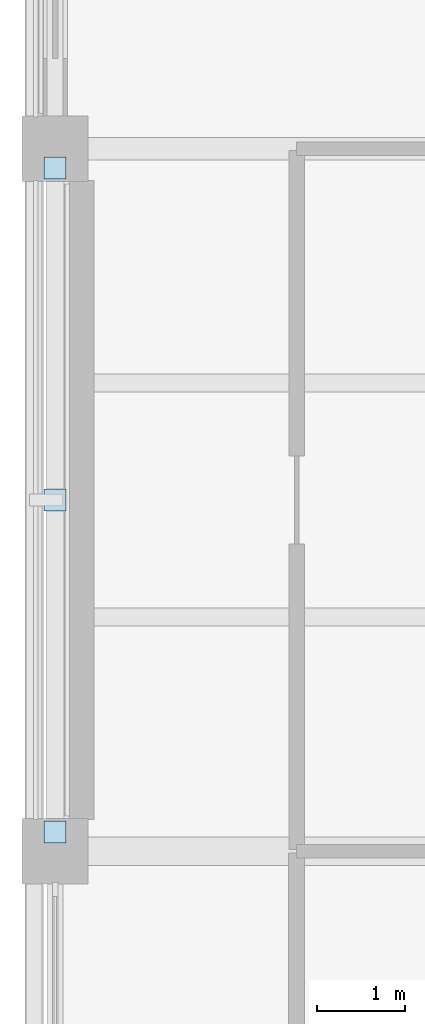
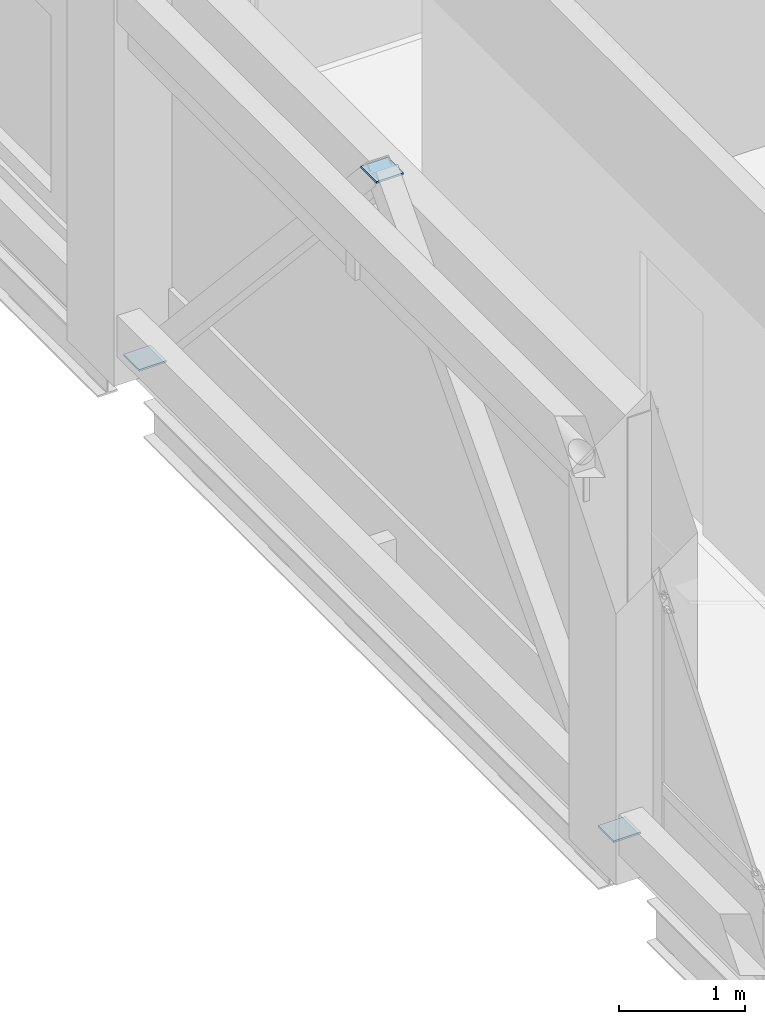
# One storey, part 74 of 121: 3 plates.
"""IFC4 building model written with IfcOpenShell, lengths in metres."""

from ifc_helpers import new_model, si_unit, derived_unit, direction, frame, origin, origin_2d, place, context, subcontext, project, spatial, rectangle, extrude, material, layer, layer_set, type_object, element, save


model = new_model("IFC4")

# Units and contexts
model_context = context("Model", 3, precision=1e-05, world=origin(), true_north=direction((0.0, 1.0)))
body_context = subcontext(model_context, "Body", "Model", "MODEL_VIEW")
ifc_project = project(units=[si_unit("LENGTHUNIT", "METRE"), si_unit("AREAUNIT", "SQUARE_METRE"), si_unit("VOLUMEUNIT", "CUBIC_METRE"), si_unit("PLANEANGLEUNIT", "RADIAN"), si_unit("MASSUNIT", "GRAM", prefix="KILO"), derived_unit("THERMALTRANSMITTANCEUNIT", [(si_unit("MASSUNIT", "GRAM", prefix="KILO"), 1), (si_unit("TIMEUNIT", "SECOND"), -3), (si_unit("THERMODYNAMICTEMPERATUREUNIT", "KELVIN"), -1)])], contexts=[model_context])

# Site, building, storey
site_placement = place(None, origin())
site = spatial("IfcSite", under=ifc_project, at=site_placement, CompositionType="ELEMENT")
building_placement = place(site_placement, origin())
building = spatial("IfcBuilding", under=site, at=building_placement, Name="Veyamyaing Civic Hall", CompositionType="ELEMENT")
storey_placement = place(building_placement, frame((0.0, 0.0, 5.280029296875)))
storey = spatial("IfcBuildingStorey", under=building, at=storey_placement, Name="L01", CompositionType="ELEMENT", Elevation=5.280029296875)

# Plates
ifc_material = material(Name="Steel S355J2", Category="steel")
ifc_layer = layer(ifc_material, 0.01806640625, Name="Steel S355J2")
ifc_layer_set = layer_set([ifc_layer], Name="Steel S355J2")
plate_type = type_object("IfcPlateType", Name="GP-02", PredefinedType="SHEET", material=ifc_layer_set)
for number, where, z_axis, x_axis, name in (
    (1, (0.0, 88.219970703125, 0.041015625), (0.0, 0.0, 1.0), (1.0, 0.0, 0.0), "Brace base gusset plate GP-02 BF-NW L01.L"),
    (2, (0.0, 95.780029296875, 0.041015625), (0.0, 0.0, 1.0), (1.0, 0.0, 0.0), "Brace base gusset plate GP-02 BF-NW L01.R"),
    (3, (0.0, 92.0, 4.160888671875), (0.0, 0.0, 1.0), (1.0, 0.0, 0.0), "Brace apex gusset plate GP-02 BF-NW L01"),
):
    element("IfcPlate", number, at=place(storey_placement, frame(where, z_axis=z_axis, x_axis=x_axis)), inside=storey, type_object=plate_type, Name=name, PredefinedType="SHEET", context=body_context, shape_type="SweptSolid", body=[
        extrude(rectangle(XDim=0.25, YDim=0.25, at=origin_2d()), origin(), (0.0, 0.0, 1.0), 0.01806640625),
    ])

save(model, "model.ifc")
